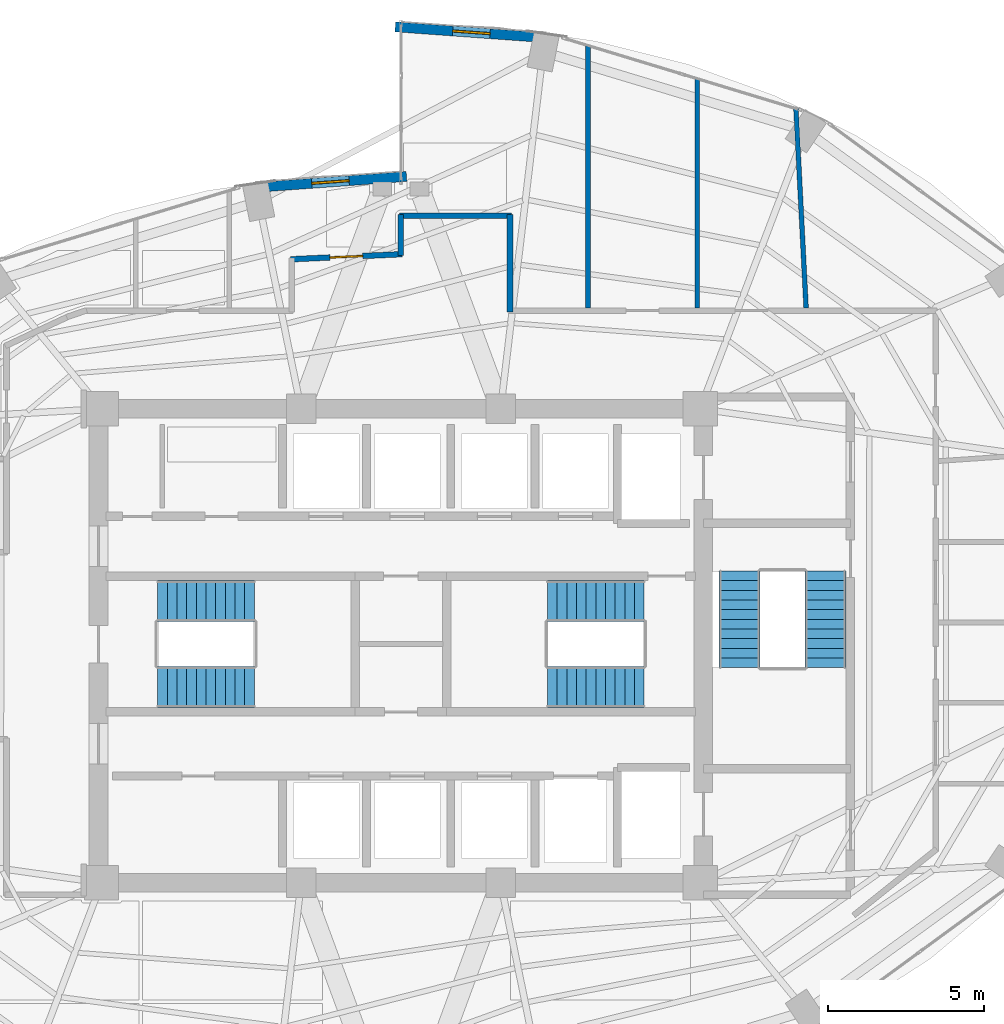
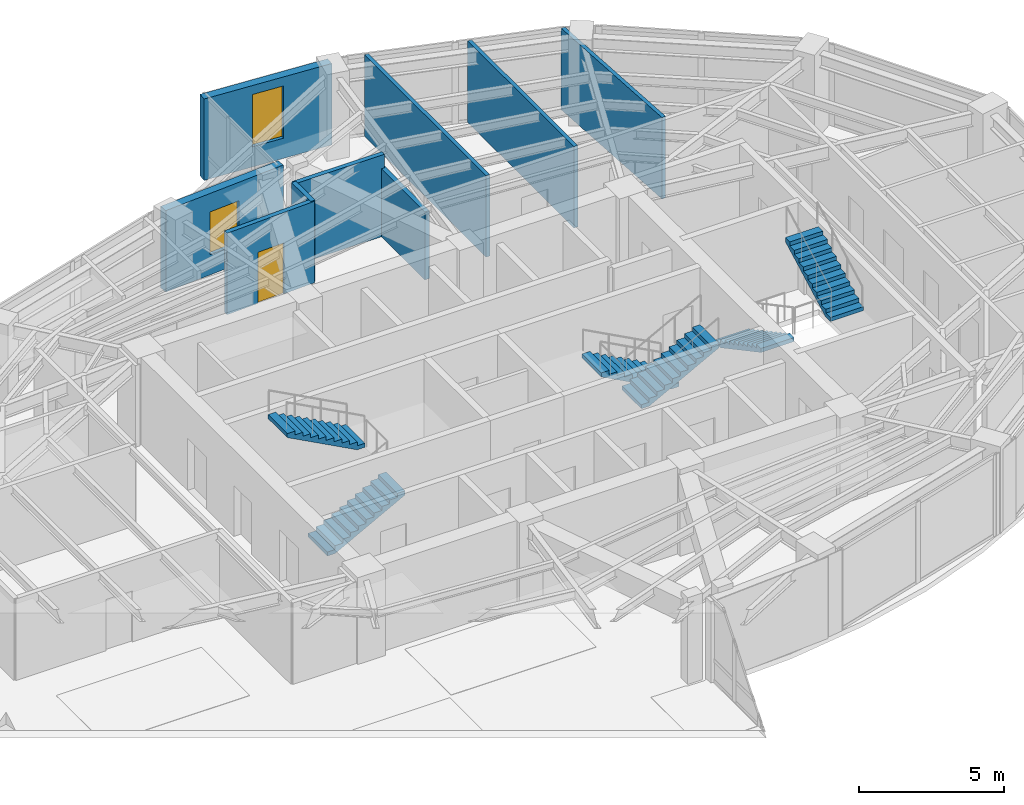
# One storey, part 18 of 20: 9 walls, 6 stair flights, 2 windows, 1 door, 3 openings, 3 elements without a shape of their own.
"""IFC4 building model written with IfcOpenShell, lengths in metres."""

import ifcopenshell
import ifcopenshell.guid

model = None  # the IFC model being written
_history = None  # IfcOwnerHistory: only IFC2X3 demands one
_inside = {}  # id of a spatial element -> (the spatial element, [elements in it])
_under = {}  # id of a project, library or spatial element -> (it, [spatial elements below it])
_declared = {}  # id of a project -> (the project, [libraries it declares])
_typed = {}  # id of a type object -> (the type object, [elements of that type])
_made_of = {}  # id of a material, layer set ... -> (it, [elements and type objects made of it])


def new_model(schema):
    """Start an empty IFC model of exactly this schema.

    Asked for "IFC4X3", IfcOpenShell would pick the latest addendum, in which some entities
    have other attributes; the version numbers below select the first issue.
    IFC2X3 requires an IfcOwnerHistory on every rooted entity: one is made here for all.
    """
    global model, _history
    if schema == "IFC4X3":
        model = ifcopenshell.file(schema_version=(4, 3, 0, 0))
    else:
        model = ifcopenshell.file(schema=schema)
    _inside.clear()
    _under.clear()
    _declared.clear()
    _typed.clear()
    _made_of.clear()
    _history = None
    if model.schema == "IFC2X3":
        org = make("IfcOrganization", Name="unknown")
        user = make(
            "IfcPersonAndOrganization",
            ThePerson=make("IfcPerson", FamilyName="unknown"),
            TheOrganization=org,
        )
        app = make(
            "IfcApplication",
            ApplicationDeveloper=org,
            Version="unknown",
            ApplicationFullName="unknown",
            ApplicationIdentifier="unknown",
        )
        _history = make(
            "IfcOwnerHistory",
            OwningUser=user,
            OwningApplication=app,
            ChangeAction="ADDED",
            CreationDate=0,
        )
    return model


def make(cls, **values):
    """One entity of the class cls with the attributes given. An attribute that is None is left unset."""
    return model.create_entity(
        cls, **{name: value for name, value in values.items() if value is not None}
    )


def rooted(cls, **values):
    """An entity with a GlobalId (a new one), such as an element, a storey or a relation."""
    return make(cls, GlobalId=ifcopenshell.guid.new(), OwnerHistory=_history, **values)


def si_unit(unit_type, name, prefix=None):
    """IfcSIUnit, for example si_unit("LENGTHUNIT", "METRE", prefix="MILLI")."""
    return make("IfcSIUnit", UnitType=unit_type, Prefix=prefix, Name=name)


def assignment(units):
    """IfcUnitAssignment: the units of a project."""
    return None if units is None else make("IfcUnitAssignment", Units=units)


def point(xyz):
    """IfcCartesianPoint."""
    return None if xyz is None else make("IfcCartesianPoint", Coordinates=xyz)


def direction(xyz):
    """IfcDirection."""
    return None if xyz is None else make("IfcDirection", DirectionRatios=xyz)


def frame(location, z_axis=None, x_axis=None):
    """IfcAxis2Placement3D, a coordinate frame: its origin and axes. An axis left out is left unset."""
    return make(
        "IfcAxis2Placement3D",
        Location=point(location),
        Axis=direction(z_axis),
        RefDirection=direction(x_axis),
    )


def frame_2d(location, x_axis=None):
    """IfcAxis2Placement2D, a coordinate frame in the plane: its origin and x axis."""
    return make(
        "IfcAxis2Placement2D", Location=point(location), RefDirection=direction(x_axis)
    )


def origin():
    """The frame at (0, 0, 0) with its axes left unset."""
    return frame((0.0, 0.0, 0.0))


def place(relative_to, where):
    """IfcLocalPlacement: puts the frame where relative to a parent placement (None: the world)."""
    return make(
        "IfcLocalPlacement", PlacementRelTo=relative_to, RelativePlacement=where
    )


def context(
    kind, dimensions, precision=None, world=None, true_north=None, identifier=None
):
    """IfcGeometricRepresentationContext, for example the 3D "Model" context."""
    return make(
        "IfcGeometricRepresentationContext",
        ContextIdentifier=identifier,
        ContextType=kind,
        CoordinateSpaceDimension=dimensions,
        Precision=precision,
        WorldCoordinateSystem=world,
        TrueNorth=true_north,
    )


def subcontext(parent, identifier, kind, view, scale=None):
    """IfcGeometricRepresentationSubContext, for example "Body" below "Model"."""
    return make(
        "IfcGeometricRepresentationSubContext",
        ContextIdentifier=identifier,
        ContextType=kind,
        ParentContext=parent,
        TargetScale=scale,
        TargetView=view,
    )


def project(units=None, contexts=None):
    """IfcProject with its units and contexts."""
    return rooted(
        "IfcProject",
        Name="project",
        RepresentationContexts=contexts,
        UnitsInContext=assignment(units),
    )


def spatial(cls, under=None, at=None, **own):
    """A site, building, storey or space (cls), placed at a placement, below another one or the project."""
    s = rooted(cls, ObjectPlacement=at, **own)
    if under is not None:
        _under.setdefault(under.id(), (under, []))[1].append(s)
    return s


def polyline(points):
    """IfcPolyline through the points."""
    return make("IfcPolyline", Points=[point(p) for p in points])


def profile(cls, at=None, kind="AREA", **sizes):
    """A parametric profile (cls). Its sizes go by their IFC names, for example OverallWidth=200.0."""
    return make(cls, ProfileType=kind, Position=at, **sizes)


def rectangle(**sizes):
    """IfcRectangleProfileDef."""
    return profile("IfcRectangleProfileDef", **sizes)


def outline(outer, holes=None, kind="AREA"):
    """IfcArbitraryClosedProfileDef: a profile drawn as a closed curve; with holes, ...WithVoids."""
    if holes is None:
        return make("IfcArbitraryClosedProfileDef", ProfileType=kind, OuterCurve=outer)
    return make(
        "IfcArbitraryProfileDefWithVoids",
        ProfileType=kind,
        OuterCurve=outer,
        InnerCurves=holes,
    )


def extrude(swept, where, along, depth):
    """IfcExtrudedAreaSolid: the profile swept, set in the frame where, extruded along a direction by depth."""
    return make(
        "IfcExtrudedAreaSolid",
        SweptArea=swept,
        Position=where,
        ExtrudedDirection=direction(along),
        Depth=depth,
    )


def shape(context_of_items, identifier, shape_type, items):
    """IfcShapeRepresentation: the items that make up one representation, for example the "Body"."""
    return make(
        "IfcShapeRepresentation",
        ContextOfItems=context_of_items,
        RepresentationIdentifier=identifier,
        RepresentationType=shape_type,
        Items=items,
    )


def material(Name=None, Category=None):
    """IfcMaterial."""
    return make("IfcMaterial", Name=Name, Category=Category)


def layer(
    of_material, thickness, ventilated=None, Name=None, Category=None, Priority=None
):
    """IfcMaterialLayer: one layer of a wall or slab, of a material (None: an air gap)."""
    return make(
        "IfcMaterialLayer",
        Material=of_material,
        LayerThickness=thickness,
        IsVentilated=ventilated,
        Name=Name,
        Category=Category,
        Priority=Priority,
    )


def layer_set(layers, Name=None):
    """IfcMaterialLayerSet."""
    return make("IfcMaterialLayerSet", MaterialLayers=layers, LayerSetName=Name)


def made_of(thing, what):
    """Note that an element or type object is made of a material, layer set ...; save() writes the relation."""
    if what is not None:
        _made_of.setdefault(what.id(), (what, []))[1].append(thing)
    return thing


def type_object(cls, material=None, **own):
    """A type object (cls), such as IfcWallType, which elements share."""
    return made_of(rooted(cls, **own), material)


def element(
    cls,
    number,
    at=None,
    inside=None,
    cuts=None,
    type_object=None,
    material=None,
    context=None,
    identifier="Body",
    shape_type=None,
    held_by="IfcProductDefinitionShape",
    body=None,
    shapes=None,
    **own,
):
    """One element of the class cls, such as IfcWall. Its Tag is "e" and its number.

    at: its placement. inside: the storey or other place that contains it. cuts: it is an
    opening in that element (IfcRelVoidsElement). A single representation is given by context,
    identifier, shape_type and body (its items); several are given by shapes. held_by: the class
    of the entity that holds the representations. save() writes the other relations.
    """
    e = rooted(cls, Tag="e%d" % number, ObjectPlacement=at, **own)
    if body is not None:
        shapes = [shape(context, identifier, shape_type, body)]
    if shapes is not None:
        e.Representation = make(held_by, Representations=shapes)
    if inside is not None:
        _inside.setdefault(inside.id(), (inside, []))[1].append(e)
    if cuts is not None:
        rooted(
            "IfcRelVoidsElement", RelatingBuildingElement=cuts, RelatedOpeningElement=e
        )
    if type_object is not None:
        _typed.setdefault(type_object.id(), (type_object, []))[1].append(e)
    return made_of(e, material)


def fill(opening, filler):
    """IfcRelFillsElement: the door or window that sits in an opening."""
    return rooted(
        "IfcRelFillsElement",
        RelatingOpeningElement=opening,
        RelatedBuildingElement=filler,
    )


def aggregate(whole, parts):
    """IfcRelAggregates: a whole, such as a stair, and the parts it consists of."""
    return rooted("IfcRelAggregates", RelatingObject=whole, RelatedObjects=parts)


def save(model, path):
    """Write the relations noted so far, then the file.

    IfcRelAggregates (storeys below a building ...), IfcRelContainedInSpatialStructure (elements
    in a storey), IfcRelDefinesByType, IfcRelAssociatesMaterial and IfcRelDeclares: one each for
    every whole, place, type object, material and project.
    """
    for whole, parts in _under.values():
        aggregate(whole, parts)
    for where, things in _inside.values():
        rooted(
            "IfcRelContainedInSpatialStructure",
            RelatedElements=things,
            RelatingStructure=where,
        )
    for kind, things in _typed.values():
        rooted("IfcRelDefinesByType", RelatedObjects=things, RelatingType=kind)
    for what, things in _made_of.values():
        rooted("IfcRelAssociatesMaterial", RelatedObjects=things, RelatingMaterial=what)
    for by, libraries in _declared.values():
        rooted("IfcRelDeclares", RelatingContext=by, RelatedDefinitions=libraries)
    model.write(path)


model = new_model("IFC4")

# Units and contexts
model_context = context("Model", 3, precision=1e-05, world=origin(), true_north=direction((0.0, 1.0)))
body_context = subcontext(model_context, "Body", "Model", "MODEL_VIEW")
ifc_project = project(units=[si_unit("LENGTHUNIT", "METRE"), si_unit("AREAUNIT", "SQUARE_METRE"), si_unit("VOLUMEUNIT", "CUBIC_METRE"), si_unit("PLANEANGLEUNIT", "RADIAN"), si_unit("MASSUNIT", "GRAM", prefix="KILO")], contexts=[model_context])

# Site, building, storey
site_placement = place(None, origin())
site = spatial("IfcSite", under=ifc_project, at=site_placement, CompositionType="ELEMENT")
building_placement = place(site_placement, origin())
building = spatial("IfcBuilding", under=site, at=building_placement, Name="Lazwardi Medical Tower", CompositionType="ELEMENT")
storey_placement = place(building_placement, frame((0.0, 0.0, 156.528076171875)))
storey = spatial("IfcBuildingStorey", under=building, at=storey_placement, Name="L40", CompositionType="ELEMENT", Elevation=156.528076171875)

# Wall, opening, door
ifc_material_1 = material(Name="Fire-rated gypsum board on steel stud", Category="steel")
ifc_layer_1 = layer(ifc_material_1, 0.179931640625)
ifc_layer_set_1 = layer_set([ifc_layer_1], Name="Fire-rated gypsum board on steel stud")
wall_type_1 = type_object("IfcWallType", Name="WL-COR-180", PredefinedType="PARTITIONING", material=ifc_layer_set_1)
wall_1_placement = place(storey_placement, frame((32.4599609375, 40.3974609375, 0.0), z_axis=(0.0, 0.0, 1.0), x_axis=(0.998948498694, 0.045846449783, 0.0)))
wall_1 = element("IfcWall", 1, at=wall_1_placement, inside=storey, type_object=wall_type_1, Name="L40 Corridor partition 8", PredefinedType="PARTITIONING", context=body_context, shape_type="SweptSolid", body=[
    extrude(rectangle(XDim=3.583740234375, YDim=0.179931640625, at=frame_2d((1.7919921875, 0.0))), origin(), (0.0, 0.0, 1.0), 3.427978515625),
])
opening_1_placement = place(wall_1_placement, frame((1.266845703125, 0.0, 0.0)))
opening_1 = element("IfcOpeningElement", 2, at=opening_1_placement, cuts=wall_1, Name="Opening D-L40-018", PredefinedType="OPENING", context=body_context, shape_type="SweptSolid", body=[
    extrude(rectangle(XDim=1.050048828125, YDim=2.14990234375, at=frame_2d((0.52490234375, 1.074951171875))), frame((0.0, 0.099853515625, 0.0), z_axis=(0.0, -1.0, 0.0), x_axis=(1.0, 0.0, 0.0)), (0.0, 0.0, 1.0), 0.199951171875),
])
ifc_material_2 = material(Name="Anti-microbial laminate hospital leaf")
door_type = type_object("IfcDoorType", Name="DR-CLN-1050", OperationType="NOTDEFINED", PredefinedType="DOOR", material=ifc_material_2)
door_placement = place(opening_1_placement, origin())
door = element("IfcDoor", 3, at=door_placement, inside=storey, type_object=door_type, Name="L40 Outpatient Consultation Suite Door 09", OperationType="SINGLE_SWING_RIGHT", OverallHeight=2.14990234375, OverallWidth=1.050048828125, PredefinedType="DOOR", context=body_context, shape_type="SweptSolid", body=[
    extrude(rectangle(XDim=1.050048828125, YDim=2.14990234375, at=frame_2d((0.52490234375, 1.074951171875))), frame((0.0, 0.02490234375, 0.0), z_axis=(0.0, -1.0, 0.0), x_axis=(1.0, 0.0, 0.0)), (0.0, 0.0, 1.0), 0.050048828125),
])
fill(opening_1, door)

# Walls
wall_2_placement = place(storey_placement, frame((36.0, 40.52001953125, 0.0), z_axis=(0.0, 0.0, 1.0), x_axis=(0.0, 1.0, 0.0)))
element("IfcWall", 4, at=wall_2_placement, inside=storey, type_object=wall_type_1, Name="L40 Corridor partition 9", PredefinedType="PARTITIONING", context=body_context, shape_type="SweptSolid", body=[
    extrude(rectangle(XDim=1.320068359375, YDim=0.179931640625, at=frame_2d((0.66015625, 0.0))), origin(), (0.0, 0.0, 1.0), 3.427978515625),
])
wall_3_placement = place(storey_placement, frame((35.9599609375, 41.800048828125, 0.0), z_axis=(0.0, 0.0, 1.0), x_axis=(1.0, 0.0, 0.0)))
element("IfcWall", 5, at=wall_3_placement, inside=storey, type_object=wall_type_1, Name="L40 Corridor partition 10", PredefinedType="PARTITIONING", context=body_context, shape_type="SweptSolid", body=[
    extrude(rectangle(XDim=3.580078125, YDim=0.179931640625, at=frame_2d((1.7900390625, 0.0))), origin(), (0.0, 0.0, 1.0), 3.427978515625),
])
wall_4_placement = place(storey_placement, frame((39.5, 41.840087890625, 0.0), z_axis=(0.0, 0.0, 1.0), x_axis=(0.0, -1.0, 0.0)))
element("IfcWall", 6, at=wall_4_placement, inside=storey, type_object=wall_type_1, Name="L40 Corridor partition 11", PredefinedType="PARTITIONING", context=body_context, shape_type="SweptSolid", body=[
    extrude(rectangle(XDim=3.130126953125, YDim=0.179931640625, at=frame_2d((1.56494140625, 0.0))), origin(), (0.0, 0.0, 1.0), 2.863037109375),
])

# Wall, opening, window
ifc_material_3 = material(Name="Precast concrete C45/55", Category="concrete")
ifc_layer_2 = layer(ifc_material_3, 0.320068359375)
ifc_layer_set_2 = layer_set([ifc_layer_2], Name="Precast concrete C45/55")
wall_type_2 = type_object("IfcWallType", Name="WL-IWAN-320", PredefinedType="SOLIDWALL", material=ifc_layer_set_2)
wall_5_placement = place(storey_placement, frame((40.700927734375, 47.501220703125, 0.0), z_axis=(0.0, 0.0, 1.0), x_axis=(-0.997415460462, 0.071849838072, 0.0)))
wall_5 = element("IfcWall", 7, at=wall_5_placement, inside=storey, type_object=wall_type_2, Name="L40 Iwan Portal Return Wall NE_ret", PredefinedType="SOLIDWALL", context=body_context, shape_type="SweptSolid", body=[
    extrude(rectangle(XDim=4.89306640625, YDim=0.320068359375, at=frame_2d((2.446533203125, 0.0))), origin(), (0.0, 0.0, 1.0), 3.427978515625),
])
opening_2_placement = place(wall_5_placement, frame((1.846435546875, 0.0, 0.85009765625)))
opening_2 = element("IfcOpeningElement", 8, at=opening_2_placement, cuts=wall_5, Name="Opening WN-01", PredefinedType="OPENING", context=body_context, shape_type="SweptSolid", body=[
    extrude(rectangle(XDim=1.199951171875, YDim=2.199951171875, at=frame_2d((0.60009765625, 1.10009765625))), frame((0.0, 0.169921875, 0.0), z_axis=(0.0, -1.0, 0.0), x_axis=(1.0, 0.0, 0.0)), (0.0, 0.0, 1.0), 0.340087890625),
])
ifc_material_4 = material(Name="Low-e bronze solar control double glazing", Category="glass")
window_type_1 = type_object("IfcWindowType", Name="WIN-IW-1200", PartitioningType="SINGLE_PANEL", PredefinedType="WINDOW", material=ifc_material_4)
window_1_placement = place(opening_2_placement, origin())
window_1 = element("IfcWindow", 9, at=window_1_placement, inside=storey, type_object=window_type_1, Name="L40 Iwan Slot Window NE_ret", OverallHeight=2.199951171875, OverallWidth=1.199951171875, PartitioningType="SINGLE_PANEL", PredefinedType="WINDOW", context=body_context, shape_type="SweptSolid", body=[
    extrude(rectangle(XDim=1.199951171875, YDim=2.199951171875, at=frame_2d((0.60009765625, 1.10009765625))), frame((0.0, 0.030029296875, 0.0), z_axis=(0.0, -1.0, 0.0), x_axis=(1.0, 0.0, 0.0)), (0.0, 0.0, 1.0), 0.06005859375),
])
fill(opening_2, window_1)

wall_6_placement = place(storey_placement, frame((36.17919921875, 43.052978515625, 0.0), z_axis=(0.0, 0.0, 1.0), x_axis=(-0.997415202861, -0.071853413984, 0.0)))
wall_6 = element("IfcWall", 10, at=wall_6_placement, inside=storey, type_object=wall_type_2, Name="L40 Iwan Portal Return Wall NW_ret", PredefinedType="SOLIDWALL", context=body_context, shape_type="SweptSolid", body=[
    extrude(rectangle(XDim=4.892822265625, YDim=0.320068359375, at=frame_2d((2.4462890625, 0.0))), origin(), (0.0, 0.0, 1.0), 3.427978515625),
])
opening_3_placement = place(wall_6_placement, frame((1.84619140625, 0.0, 0.85009765625)))
opening_3 = element("IfcOpeningElement", 11, at=opening_3_placement, cuts=wall_6, Name="Opening WN-04", PredefinedType="OPENING", context=body_context, shape_type="SweptSolid", body=[
    extrude(rectangle(XDim=1.199951171875, YDim=1.800048828125, at=frame_2d((0.60009765625, 0.89990234375))), frame((0.0, 0.169921875, 0.0), z_axis=(0.0, -1.0, 0.0), x_axis=(1.0, 0.0, 0.0)), (0.0, 0.0, 1.0), 0.340087890625),
])
window_type_2 = type_object("IfcWindowType", Name="WIN-DRUM-1200", PartitioningType="SINGLE_PANEL", PredefinedType="WINDOW", material=ifc_material_4)
window_2_placement = place(opening_3_placement, origin())
window_2 = element("IfcWindow", 12, at=window_2_placement, inside=storey, type_object=window_type_2, Name="L40 Iwan Slot Window NW_ret", OverallHeight=1.800048828125, OverallWidth=1.199951171875, PartitioningType="SINGLE_PANEL", PredefinedType="WINDOW", context=body_context, shape_type="SweptSolid", body=[
    extrude(rectangle(XDim=1.199951171875, YDim=1.800048828125, at=frame_2d((0.60009765625, 0.89990234375))), frame((0.0, 0.030029296875, 0.0), z_axis=(0.0, -1.0, 0.0), x_axis=(1.0, 0.0, 0.0)), (0.0, 0.0, 1.0), 0.06005859375),
])
fill(opening_3, window_2)

# Walls
ifc_material_5 = material(Name="Acoustic gypsum board partition")
ifc_layer_3 = layer(ifc_material_5, 0.14990234375)
ifc_layer_set_3 = layer_set([ifc_layer_3], Name="Acoustic gypsum board partition")
wall_type_3 = type_object("IfcWallType", Name="WL-WRD-150", PredefinedType="PARTITIONING", material=ifc_layer_set_3)
wall_7_placement = place(storey_placement, frame((42.0, 38.840087890625, 0.0), z_axis=(0.0, 0.0, 1.0), x_axis=(0.0, 1.0, 0.0)))
element("IfcWall", 13, at=wall_7_placement, inside=storey, type_object=wall_type_3, Name="L40 Room partition 9", PredefinedType="PARTITIONING", context=body_context, shape_type="SweptSolid", body=[
    extrude(rectangle(XDim=8.397705078125, YDim=0.14990234375, at=frame_2d((4.19873046875, 0.0))), origin(), (0.0, 0.0, 1.0), 3.427978515625),
])
wall_8_placement = place(storey_placement, frame((45.5, 38.840087890625, 0.0), z_axis=(0.0, 0.0, 1.0), x_axis=(0.0, 1.0, 0.0)))
element("IfcWall", 14, at=wall_8_placement, inside=storey, type_object=wall_type_3, Name="L40 Room partition 10", PredefinedType="PARTITIONING", context=body_context, shape_type="SweptSolid", body=[
    extrude(rectangle(XDim=7.3359375, YDim=0.14990234375, at=frame_2d((3.66796875, 0.0))), origin(), (0.0, 0.0, 1.0), 3.427978515625),
])
wall_9_placement = place(storey_placement, frame((48.99609375, 38.83984375, 0.0), z_axis=(0.0, 0.0, 1.0), x_axis=(-0.050906361105, 0.998703430653, 0.0)))
element("IfcWall", 15, at=wall_9_placement, inside=storey, type_object=wall_type_3, Name="L40 Room partition 11", PredefinedType="PARTITIONING", context=body_context, shape_type="SweptSolid", body=[
    extrude(rectangle(XDim=6.397705078125, YDim=0.14990234375, at=frame_2d((3.19873046875, 0.0))), origin(), (0.0, 0.0, 1.0), 3.427978515625),
])

# Stair, stair flights
ifc_material_6 = material(Name="Concrete C45/55", Category="concrete")
stair_type = type_object("IfcStairType", Name="STR-WRD", PredefinedType="HALF_TURN_STAIR", material=ifc_material_6)
stair_1_placement = place(storey_placement, origin())
stair_1 = element("IfcStair", 16, at=stair_1_placement, inside=storey, type_object=stair_type, Name="L40 Protected Exit Stair ST1", PredefinedType="HALF_TURN_STAIR")
stair_flight_type = type_object("IfcStairFlightType", Name="FLT-WRD", PredefinedType="STRAIGHT", material=ifc_material_6)
stair_flight_1_placement = place(storey_placement, frame((28.199951171875, 26.679931640625, 0.0), z_axis=(0.0, 0.0, 1.0), x_axis=(1.0, 0.0, 0.0)))
stair_flight_1 = element("IfcStairFlight", 17, at=stair_flight_1_placement, type_object=stair_flight_type, Name="ST1 flight 1", NumberOfRisers=11, NumberOfTreads=10, PredefinedType="STRAIGHT", RiserHeight=0.165818182, TreadLength=0.31, context=body_context, shape_type="SweptSolid", body=[
    extrude(outline(polyline([(0.0, 0.0), (0.0, 0.165771484375), (0.31005859375, 0.165771484375), (0.31005859375, 0.33154296875), (0.6201171875, 0.33154296875), (0.6201171875, 0.49755859375), (0.929931640625, 0.49755859375), (0.929931640625, 0.663330078125), (1.239990234375, 0.663330078125), (1.239990234375, 0.8291015625), (1.550048828125, 0.8291015625), (1.550048828125, 0.994873046875), (1.860107421875, 0.994873046875), (1.860107421875, 1.16064453125), (2.169921875, 1.16064453125), (2.169921875, 1.32666015625), (2.47998046875, 1.32666015625), (2.47998046875, 1.492431640625), (2.7900390625, 1.492431640625), (2.7900390625, 1.658203125), (3.10009765625, 1.658203125), (3.10009765625, 1.823974609375), (3.10009765625, 1.48828125), (0.31787109375, 0.0), (0.0, 0.0)])), frame((0.0, 0.66015625, 0.0), z_axis=(0.0, -1.0, 0.0), x_axis=(1.0, 0.0, 0.0)), (0.0, 0.0, 1.0), 1.320068359375),
])
stair_flight_2_placement = place(storey_placement, frame((31.300048828125, 29.43994140625, 1.823974609375), z_axis=(0.0, 0.0, 1.0), x_axis=(-1.0, 0.0, 0.0)))
stair_flight_2 = element("IfcStairFlight", 18, at=stair_flight_2_placement, type_object=stair_flight_type, Name="ST1 flight 2", NumberOfRisers=11, NumberOfTreads=10, PredefinedType="STRAIGHT", RiserHeight=0.165818182, TreadLength=0.31, context=body_context, shape_type="SweptSolid", body=[
    extrude(outline(polyline([(0.0, 0.0), (0.0, 0.165771484375), (0.31005859375, 0.165771484375), (0.31005859375, 0.33154296875), (0.6201171875, 0.33154296875), (0.6201171875, 0.49755859375), (0.929931640625, 0.49755859375), (0.929931640625, 0.663330078125), (1.239990234375, 0.663330078125), (1.239990234375, 0.8291015625), (1.550048828125, 0.8291015625), (1.550048828125, 0.994873046875), (1.860107421875, 0.994873046875), (1.860107421875, 1.16064453125), (2.169921875, 1.16064453125), (2.169921875, 1.32666015625), (2.47998046875, 1.32666015625), (2.47998046875, 1.492431640625), (2.7900390625, 1.492431640625), (2.7900390625, 1.658203125), (3.10009765625, 1.658203125), (3.10009765625, 1.823974609375), (3.10009765625, 1.48828125), (0.31787109375, 0.0), (0.0, 0.0)])), frame((0.0, 0.66015625, 0.0), z_axis=(0.0, -1.0, 0.0), x_axis=(1.0, 0.0, 0.0)), (0.0, 0.0, 1.0), 1.320068359375),
])
aggregate(stair_1, [stair_flight_1, stair_flight_2])

stair_2_placement = place(storey_placement, origin())
stair_2 = element("IfcStair", 19, at=stair_2_placement, inside=storey, type_object=stair_type, Name="L40 Protected Exit Stair ST2", PredefinedType="HALF_TURN_STAIR")
stair_flight_3_placement = place(storey_placement, frame((43.800048828125, 29.43994140625, 0.0), z_axis=(0.0, 0.0, 1.0), x_axis=(-1.0, 0.0, 0.0)))
stair_flight_3 = element("IfcStairFlight", 20, at=stair_flight_3_placement, type_object=stair_flight_type, Name="ST2 flight 1", NumberOfRisers=11, NumberOfTreads=10, PredefinedType="STRAIGHT", RiserHeight=0.165818182, TreadLength=0.31, context=body_context, shape_type="SweptSolid", body=[
    extrude(outline(polyline([(0.0, 0.0), (0.0, 0.165771484375), (0.31005859375, 0.165771484375), (0.31005859375, 0.33154296875), (0.6201171875, 0.33154296875), (0.6201171875, 0.49755859375), (0.929931640625, 0.49755859375), (0.929931640625, 0.663330078125), (1.239990234375, 0.663330078125), (1.239990234375, 0.8291015625), (1.550048828125, 0.8291015625), (1.550048828125, 0.994873046875), (1.860107421875, 0.994873046875), (1.860107421875, 1.16064453125), (2.169921875, 1.16064453125), (2.169921875, 1.32666015625), (2.47998046875, 1.32666015625), (2.47998046875, 1.492431640625), (2.7900390625, 1.492431640625), (2.7900390625, 1.658203125), (3.10009765625, 1.658203125), (3.10009765625, 1.823974609375), (3.10009765625, 1.48828125), (0.31787109375, 0.0), (0.0, 0.0)])), frame((0.0, 0.66015625, 0.0), z_axis=(0.0, -1.0, 0.0), x_axis=(1.0, 0.0, 0.0)), (0.0, 0.0, 1.0), 1.320068359375),
])
stair_flight_4_placement = place(storey_placement, frame((40.699951171875, 26.679931640625, 1.823974609375), z_axis=(0.0, 0.0, 1.0), x_axis=(1.0, 0.0, 0.0)))
stair_flight_4 = element("IfcStairFlight", 21, at=stair_flight_4_placement, type_object=stair_flight_type, Name="ST2 flight 2", NumberOfRisers=11, NumberOfTreads=10, PredefinedType="STRAIGHT", RiserHeight=0.165818182, TreadLength=0.31, context=body_context, shape_type="SweptSolid", body=[
    extrude(outline(polyline([(0.0, 0.0), (0.0, 0.165771484375), (0.31005859375, 0.165771484375), (0.31005859375, 0.33154296875), (0.6201171875, 0.33154296875), (0.6201171875, 0.49755859375), (0.929931640625, 0.49755859375), (0.929931640625, 0.663330078125), (1.239990234375, 0.663330078125), (1.239990234375, 0.8291015625), (1.550048828125, 0.8291015625), (1.550048828125, 0.994873046875), (1.860107421875, 0.994873046875), (1.860107421875, 1.16064453125), (2.169921875, 1.16064453125), (2.169921875, 1.32666015625), (2.47998046875, 1.32666015625), (2.47998046875, 1.492431640625), (2.7900390625, 1.492431640625), (2.7900390625, 1.658203125), (3.10009765625, 1.658203125), (3.10009765625, 1.823974609375), (3.10009765625, 1.48828125), (0.31787109375, 0.0), (0.0, 0.0)])), frame((0.0, 0.66015625, 0.0), z_axis=(0.0, -1.0, 0.0), x_axis=(1.0, 0.0, 0.0)), (0.0, 0.0, 1.0), 1.320068359375),
])
aggregate(stair_2, [stair_flight_3, stair_flight_4])

stair_3_placement = place(storey_placement, origin())
stair_3 = element("IfcStair", 22, at=stair_3_placement, inside=storey, type_object=stair_type, Name="L40 Protected Exit Stair ST3", PredefinedType="HALF_TURN_STAIR")
stair_flight_5_placement = place(storey_placement, frame((46.860107421875, 30.39990234375, 0.0), z_axis=(0.0, 0.0, 1.0), x_axis=(0.0, -1.0, 0.0)))
stair_flight_5 = element("IfcStairFlight", 23, at=stair_flight_5_placement, type_object=stair_flight_type, Name="ST3 flight 1", NumberOfRisers=11, NumberOfTreads=10, PredefinedType="STRAIGHT", RiserHeight=0.165818182, TreadLength=0.31, context=body_context, shape_type="SweptSolid", body=[
    extrude(outline(polyline([(0.0, 0.0), (0.0, 0.165771484375), (0.31005859375, 0.165771484375), (0.31005859375, 0.33154296875), (0.6201171875, 0.33154296875), (0.6201171875, 0.49755859375), (0.929931640625, 0.49755859375), (0.929931640625, 0.663330078125), (1.239990234375, 0.663330078125), (1.239990234375, 0.8291015625), (1.550048828125, 0.8291015625), (1.550048828125, 0.994873046875), (1.860107421875, 0.994873046875), (1.860107421875, 1.16064453125), (2.169921875, 1.16064453125), (2.169921875, 1.32666015625), (2.47998046875, 1.32666015625), (2.47998046875, 1.492431640625), (2.7900390625, 1.492431640625), (2.7900390625, 1.658203125), (3.10009765625, 1.658203125), (3.10009765625, 1.823974609375), (3.10009765625, 1.48828125), (0.31787109375, 0.0), (0.0, 0.0)])), frame((0.0, 0.66015625, 0.0), z_axis=(0.0, -1.0, 0.0), x_axis=(1.0, 0.0, 0.0)), (0.0, 0.0, 1.0), 1.320068359375),
])
stair_flight_6_placement = place(storey_placement, frame((49.6201171875, 27.300048828125, 1.823974609375), z_axis=(0.0, 0.0, 1.0), x_axis=(0.0, 1.0, 0.0)))
stair_flight_6 = element("IfcStairFlight", 24, at=stair_flight_6_placement, type_object=stair_flight_type, Name="ST3 flight 2", NumberOfRisers=11, NumberOfTreads=10, PredefinedType="STRAIGHT", RiserHeight=0.165818182, TreadLength=0.31, context=body_context, shape_type="SweptSolid", body=[
    extrude(outline(polyline([(0.0, 0.0), (0.0, 0.165771484375), (0.31005859375, 0.165771484375), (0.31005859375, 0.33154296875), (0.6201171875, 0.33154296875), (0.6201171875, 0.49755859375), (0.929931640625, 0.49755859375), (0.929931640625, 0.663330078125), (1.239990234375, 0.663330078125), (1.239990234375, 0.8291015625), (1.550048828125, 0.8291015625), (1.550048828125, 0.994873046875), (1.860107421875, 0.994873046875), (1.860107421875, 1.16064453125), (2.169921875, 1.16064453125), (2.169921875, 1.32666015625), (2.47998046875, 1.32666015625), (2.47998046875, 1.492431640625), (2.7900390625, 1.492431640625), (2.7900390625, 1.658203125), (3.10009765625, 1.658203125), (3.10009765625, 1.823974609375), (3.10009765625, 1.48828125), (0.31787109375, 0.0), (0.0, 0.0)])), frame((0.0, 0.66015625, 0.0), z_axis=(0.0, -1.0, 0.0), x_axis=(1.0, 0.0, 0.0)), (0.0, 0.0, 1.0), 1.320068359375),
])
aggregate(stair_3, [stair_flight_5, stair_flight_6])

save(model, "model.ifc")
